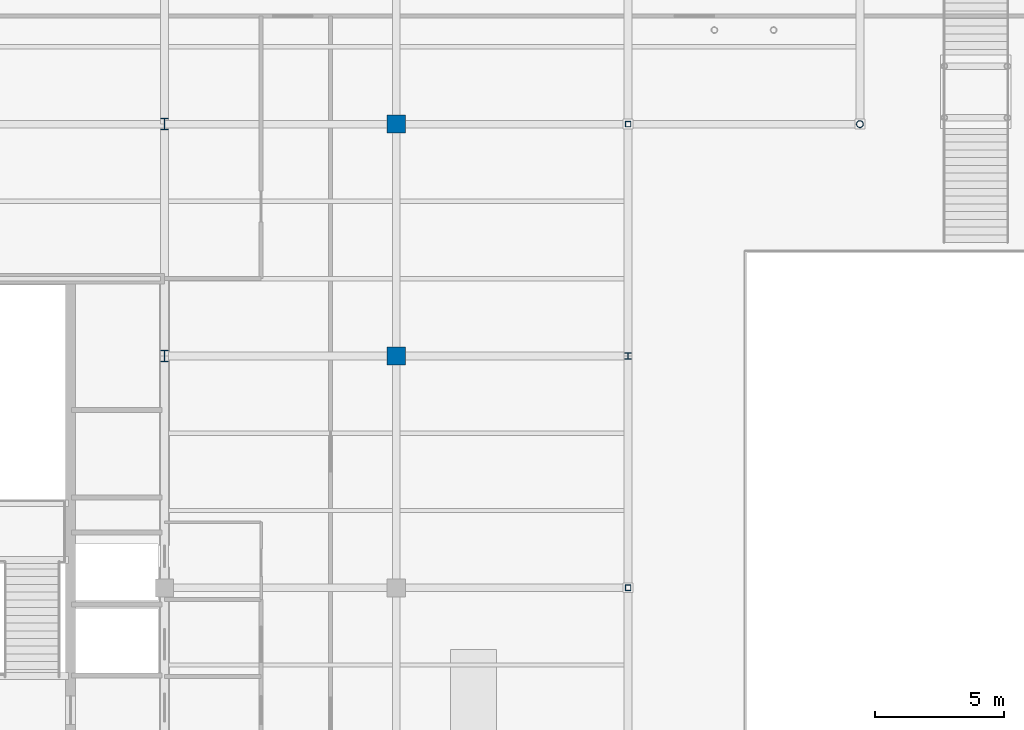
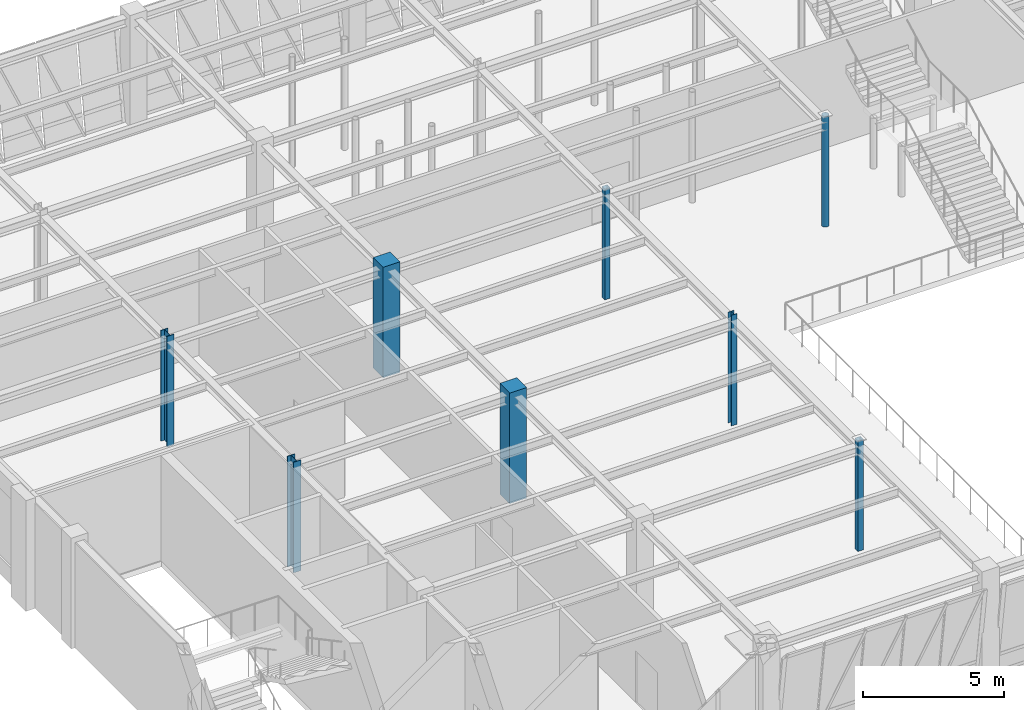
# One storey, part 7 of 92: 8 columns.
"""IFC4 building model written with IfcOpenShell, lengths in metres."""

from ifc_helpers import new_model, si_unit, direction, frame, origin, origin_2d, place, context, subcontext, project, spatial, rectangle, hollow_rectangle, hollow_circle, i_section, extrude, material, material_profile, profile_set, type_object, element, save


model = new_model("IFC4")

# Units and contexts
model_context = context("Model", 3, precision=1e-05, world=origin(), true_north=direction((0.0, 1.0)))
body_context = subcontext(model_context, "Body", "Model", "MODEL_VIEW")
ifc_project = project(units=[si_unit("LENGTHUNIT", "METRE"), si_unit("AREAUNIT", "SQUARE_METRE"), si_unit("VOLUMEUNIT", "CUBIC_METRE"), si_unit("PLANEANGLEUNIT", "RADIAN"), si_unit("MASSUNIT", "GRAM", prefix="KILO")], contexts=[model_context])

# Site, building, storey
site_placement = place(None, origin())
site = spatial("IfcSite", under=ifc_project, at=site_placement, CompositionType="ELEMENT")
building_placement = place(site_placement, origin())
building = spatial("IfcBuilding", under=site, at=building_placement, Name="Lykobir Media Centre", CompositionType="ELEMENT")
storey_placement = place(building_placement, frame((0.0, 0.0, 5.39990234375)))
storey = spatial("IfcBuildingStorey", under=building, at=storey_placement, Name="L01", CompositionType="ELEMENT", Elevation=5.39990234375)

# Columns
ifc_material_1 = material(Name="Concrete C40/50", Category="concrete")
ifc_material_profile_1 = material_profile(ifc_material_1, rectangle(XDim=0.699951171875, YDim=0.699951171875, at=origin_2d()), Name="RC 700x700")
ifc_profile_set_1 = profile_set([ifc_material_profile_1], Name="Concrete C40/50")
column_type_1 = type_object("IfcColumnType", Name="RC-C700", PredefinedType="COLUMN", material=ifc_profile_set_1)
for number, where, z_axis, x_axis, name in (
    (1, (45.0, 81.0, 0.0), (0.0, 0.0, 1.0), (1.0, 0.0, 0.0), "Column COL-L01-0450-0810"),
    (2, (45.0, 90.0, 0.0), (0.0, 0.0, 1.0), (1.0, 0.0, 0.0), "Column COL-L01-0450-0900"),
):
    element("IfcColumn", number, at=place(storey_placement, frame(where, z_axis=z_axis, x_axis=x_axis)), inside=storey, type_object=column_type_1, Name=name, PredefinedType="COLUMN", context=body_context, shape_type="SweptSolid", body=[
        extrude(rectangle(XDim=0.699951171875, YDim=0.699951171875, at=origin_2d()), origin(), (0.0, 0.0, 1.0), 4.800048828125),
    ])
ifc_material_2 = material(Name="Steel S355", Category="steel")
ifc_material_profile_2 = material_profile(ifc_material_2, hollow_circle(Radius=0.136474609375, WallThickness=0.012451171875, at=origin_2d()), Name="CHS 273.0x12.5")
ifc_profile_set_2 = profile_set([ifc_material_profile_2], Name="Steel S355")
column_type_2 = type_object("IfcColumnType", Name="SC-CHS273", PredefinedType="COLUMN", material=ifc_profile_set_2)
column_1_placement = place(storey_placement, frame((63.0, 90.0, 0.0), z_axis=(0.0, 0.0, 1.0), x_axis=(1.0, 0.0, 0.0)))
element("IfcColumn", 3, at=column_1_placement, inside=storey, type_object=column_type_2, Name="Column COL-L01-0630-0900", PredefinedType="COLUMN", context=body_context, shape_type="SweptSolid", body=[
    extrude(hollow_circle(Radius=0.136474609375, WallThickness=0.012451171875, at=origin_2d()), origin(), (0.0, 0.0, 1.0), 4.800048828125),
])
ifc_material_profile_3 = material_profile(ifc_material_2, i_section(OverallWidth=0.239990234375, OverallDepth=0.239990234375, WebThickness=0.010009765625, FlangeThickness=0.01708984375, at=origin_2d()), Name="HEB 240")
ifc_profile_set_3 = profile_set([ifc_material_profile_3], Name="Steel S355")
column_type_3 = type_object("IfcColumnType", Name="SC-HEB240", PredefinedType="COLUMN", material=ifc_profile_set_3)
column_2_placement = place(storey_placement, frame((54.0, 81.0, 0.0), z_axis=(0.0, 0.0, 1.0), x_axis=(1.0, 0.0, 0.0)))
element("IfcColumn", 4, at=column_2_placement, inside=storey, type_object=column_type_3, Name="Column COL-L01-0540-0810", PredefinedType="COLUMN", context=body_context, shape_type="SweptSolid", body=[
    extrude(i_section(OverallWidth=0.239990234375, OverallDepth=0.239990234375, WebThickness=0.010009765625, FlangeThickness=0.01708984375, at=origin_2d()), origin(), (0.0, 0.0, 1.0), 4.800048828125),
])
ifc_material_profile_4 = material_profile(ifc_material_2, i_section(OverallWidth=0.300048828125, OverallDepth=0.449951171875, WebThickness=0.013916015625, FlangeThickness=0.02587890625, at=origin_2d()), Name="HEB 450")
ifc_profile_set_4 = profile_set([ifc_material_profile_4], Name="Steel S355")
column_type_4 = type_object("IfcColumnType", Name="SC-HEB450", PredefinedType="COLUMN", material=ifc_profile_set_4)
for number, where, z_axis, x_axis, name in (
    (5, (36.0, 81.0, 0.0), (0.0, 0.0, 1.0), (1.0, 0.0, 0.0), "Column COL-L01-0360-0810"),
    (6, (36.0, 90.0, 0.0), (0.0, 0.0, 1.0), (1.0, 0.0, 0.0), "Column COL-L01-0360-0900"),
):
    element("IfcColumn", number, at=place(storey_placement, frame(where, z_axis=z_axis, x_axis=x_axis)), inside=storey, type_object=column_type_4, Name=name, PredefinedType="COLUMN", context=body_context, shape_type="SweptSolid", body=[
        extrude(i_section(OverallWidth=0.300048828125, OverallDepth=0.449951171875, WebThickness=0.013916015625, FlangeThickness=0.02587890625, at=origin_2d()), origin(), (0.0, 0.0, 1.0), 4.800048828125),
    ])
ifc_material_profile_5 = material_profile(ifc_material_2, hollow_rectangle(XDim=0.219970703125, YDim=0.219970703125, WallThickness=0.012451171875, at=origin_2d()), Name="SHS 220x220x12.5")
ifc_profile_set_5 = profile_set([ifc_material_profile_5], Name="Steel S355")
column_type_5 = type_object("IfcColumnType", Name="SC-SHS220", PredefinedType="COLUMN", material=ifc_profile_set_5)
for number, where, z_axis, x_axis, name in (
    (7, (54.0, 72.0, 0.0), (0.0, 0.0, 1.0), (1.0, 0.0, 0.0), "Column COL-L01-0540-0720"),
    (8, (54.0, 90.0, 0.0), (0.0, 0.0, 1.0), (1.0, 0.0, 0.0), "Column COL-L01-0540-0900"),
):
    element("IfcColumn", number, at=place(storey_placement, frame(where, z_axis=z_axis, x_axis=x_axis)), inside=storey, type_object=column_type_5, Name=name, PredefinedType="COLUMN", context=body_context, shape_type="SweptSolid", body=[
        extrude(hollow_rectangle(XDim=0.219970703125, YDim=0.219970703125, WallThickness=0.012451171875, at=origin_2d()), origin(), (0.0, 0.0, 1.0), 4.800048828125),
    ])

save(model, "model.ifc")
